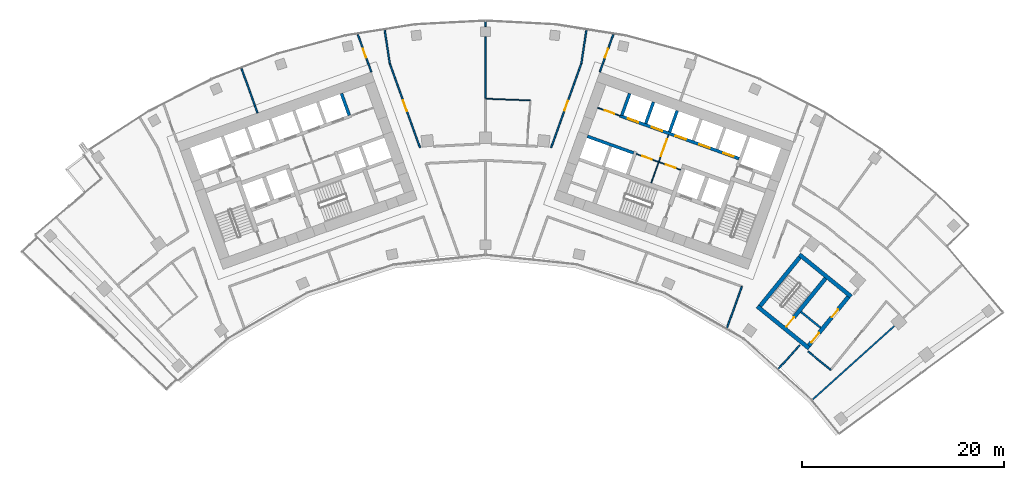
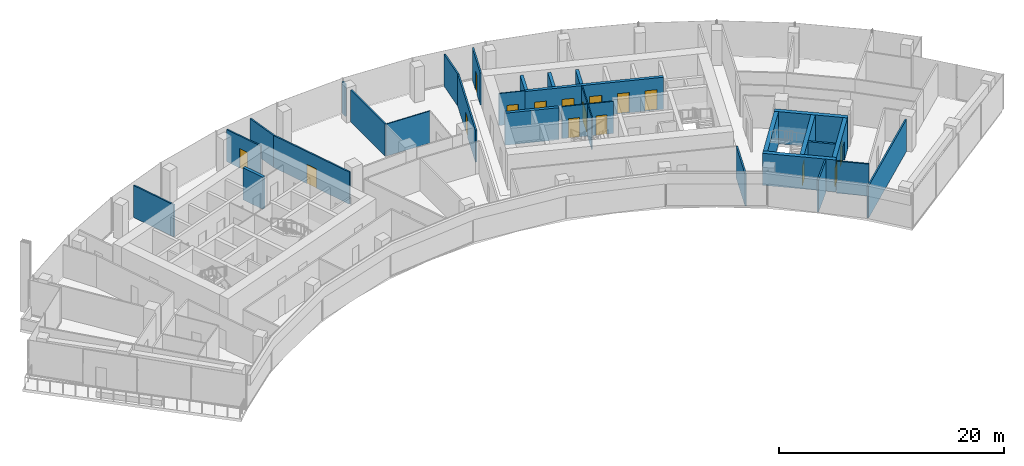
# One storey, part 15 of 20: 29 walls, 16 doors, 16 openings.
"""IFC4 building model written with IfcOpenShell, lengths in metres."""

from ifc_helpers import new_model, si_unit, direction, frame, frame_2d, origin, place, context, subcontext, project, spatial, rectangle, extrude, material, layer, layer_set, type_object, element, fill, save


model = new_model("IFC4")

# Units and contexts
model_context = context("Model", 3, precision=1e-05, world=origin(), true_north=direction((0.0, 1.0)))
body_context = subcontext(model_context, "Body", "Model", "MODEL_VIEW")
ifc_project = project(units=[si_unit("LENGTHUNIT", "METRE"), si_unit("AREAUNIT", "SQUARE_METRE"), si_unit("VOLUMEUNIT", "CUBIC_METRE"), si_unit("PLANEANGLEUNIT", "RADIAN"), si_unit("MASSUNIT", "GRAM", prefix="KILO")], contexts=[model_context])

# Site, building, storey
site_placement = place(None, origin())
site = spatial("IfcSite", under=ifc_project, at=site_placement, CompositionType="ELEMENT")
building_placement = place(site_placement, origin())
building = spatial("IfcBuilding", under=site, at=building_placement, Name="Stone Belt Terrace Tower", CompositionType="ELEMENT")
storey_placement = place(building_placement, frame((0.0, 0.0, 216.199951171875)))
storey = spatial("IfcBuildingStorey", under=building, at=storey_placement, Name="L52", CompositionType="ELEMENT", Elevation=216.199951171875)

# Wall, openings, doors
ifc_material_1 = material(Name="Plasterboard partition")
ifc_layer_1 = layer(ifc_material_1, 0.10009765625)
ifc_layer_set_1 = layer_set([ifc_layer_1], Name="Core partition 100")
wall_type_1 = type_object("IfcWallType", Name="Core partition 100", PredefinedType="PARTITIONING", material=ifc_layer_set_1)
wall_1_placement = place(storey_placement, frame((19.29052734375, 51.829833984375, 0.0), z_axis=(0.0, 0.0, 1.0), x_axis=(-0.940930240745, 0.338600475563, 0.0)))
wall_1 = element("IfcWall", 1, at=wall_1_placement, inside=storey, type_object=wall_type_1, Name="Core B wall", PredefinedType="PARTITIONING", context=body_context, shape_type="SweptSolid", body=[
    extrude(rectangle(XDim=4.64990234375, YDim=0.10009765625, at=frame_2d((2.324951171875, 0.0))), origin(), (0.0, 0.0, 1.0), 3.47998046875),
])
opening_1_placement = place(wall_1_placement, frame((0.550048828125, 0.0, 0.0)))
opening_1 = element("IfcOpeningElement", 2, at=opening_1_placement, cuts=wall_1, Name="Opening L52-C16", PredefinedType="OPENING", context=body_context, shape_type="SweptSolid", body=[
    extrude(rectangle(XDim=1.0, YDim=2.10009765625, at=frame_2d((0.5, 1.050048828125))), frame((0.0, 0.06005859375, 0.0), z_axis=(0.0, -1.0, 0.0), x_axis=(1.0, 0.0, 0.0)), (0.0, 0.0, 1.0), 0.1201171875),
])
opening_2_placement = place(wall_1_placement, frame((3.050048828125, 0.0, 0.0)))
opening_2 = element("IfcOpeningElement", 3, at=opening_2_placement, cuts=wall_1, Name="Opening L52-C17", PredefinedType="OPENING", context=body_context, shape_type="SweptSolid", body=[
    extrude(rectangle(XDim=1.0, YDim=2.10009765625, at=frame_2d((0.5, 1.050048828125))), frame((0.0, 0.06005859375, 0.0), z_axis=(0.0, -1.0, 0.0), x_axis=(1.0, 0.0, 0.0)), (0.0, 0.0, 1.0), 0.1201171875),
])
ifc_material_2 = material(Name="Timber door leaf", Category="wood")
door_type_1 = type_object("IfcDoorType", Name="Core room door 1000", OperationType="SINGLE_SWING_LEFT", PredefinedType="DOOR", material=ifc_material_2)
door_1_placement = place(opening_1_placement, origin())
door_1 = element("IfcDoor", 4, at=door_1_placement, inside=storey, type_object=door_type_1, Name="Door to Archive store core B", OperationType="SINGLE_SWING_LEFT", OverallHeight=2.10009765625, OverallWidth=1.0, PredefinedType="DOOR", context=body_context, shape_type="SweptSolid", body=[
    extrude(rectangle(XDim=1.0, YDim=2.10009765625, at=frame_2d((0.5, 1.050048828125))), frame((0.0, 0.02490234375, 0.0), z_axis=(0.0, -1.0, 0.0), x_axis=(1.0, 0.0, 0.0)), (0.0, 0.0, 1.0), 0.050048828125),
])
fill(opening_1, door_1)
door_2_placement = place(opening_2_placement, origin())
door_2 = element("IfcDoor", 5, at=door_2_placement, inside=storey, type_object=door_type_1, Name="Door to IT equipment room core B", OperationType="SINGLE_SWING_RIGHT", OverallHeight=2.10009765625, OverallWidth=1.0, PredefinedType="DOOR", context=body_context, shape_type="SweptSolid", body=[
    extrude(rectangle(XDim=1.0, YDim=2.10009765625, at=frame_2d((0.5, 1.050048828125))), frame((0.0, 0.02490234375, 0.0), z_axis=(0.0, -1.0, 0.0), x_axis=(1.0, 0.0, 0.0)), (0.0, 0.0, 1.0), 0.050048828125),
])
fill(opening_2, door_2)

# Wall, opening, door
wall_2_placement = place(storey_placement, frame((16.38134765625, 50.53857421875, 0.0), z_axis=(0.0, 0.0, 1.0), x_axis=(0.33860476744, 0.940928696271, 0.0)))
wall_2 = element("IfcWall", 6, at=wall_2_placement, inside=storey, type_object=wall_type_1, Name="Core B wall", PredefinedType="PARTITIONING", context=body_context, shape_type="SweptSolid", body=[
    extrude(rectangle(XDim=5.050048828125, YDim=0.10009765625, at=frame_2d((2.52490234375, 0.0))), origin(), (0.0, 0.0, 1.0), 3.47998046875),
])
opening_3_placement = place(wall_2_placement, frame((2.800048828125, 0.0, 0.0)))
opening_3 = element("IfcOpeningElement", 7, at=opening_3_placement, cuts=wall_2, Name="Opening L52-C20", PredefinedType="OPENING", context=body_context, shape_type="SweptSolid", body=[
    extrude(rectangle(XDim=1.800048828125, YDim=2.10009765625, at=frame_2d((0.89990234375, 1.050048828125))), frame((0.0, 0.06005859375, 0.0), z_axis=(0.0, -1.0, 0.0), x_axis=(1.0, 0.0, 0.0)), (0.0, 0.0, 1.0), 0.1201171875),
])
ifc_material_3 = material(Name="Glazed aluminium door leaf", Category="aluminium")
door_type_2 = type_object("IfcDoorType", Name="Lift lobby entrance door 1800", OperationType="DOUBLE_DOOR_SINGLE_SWING", PredefinedType="DOOR", material=ifc_material_3)
door_3_placement = place(opening_3_placement, origin())
door_3 = element("IfcDoor", 8, at=door_3_placement, inside=storey, type_object=door_type_2, Name="Lift lobby double door core B", OperationType="DOUBLE_DOOR_SINGLE_SWING", OverallHeight=2.10009765625, OverallWidth=1.800048828125, PredefinedType="DOOR", context=body_context, shape_type="SweptSolid", body=[
    extrude(rectangle(XDim=1.800048828125, YDim=2.10009765625, at=frame_2d((0.89990234375, 1.050048828125))), frame((0.0, 0.02490234375, 0.0), z_axis=(0.0, -1.0, 0.0), x_axis=(1.0, 0.0, 0.0)), (0.0, 0.0, 1.0), 0.050048828125),
])
fill(opening_3, door_3)

wall_3_placement = place(storey_placement, frame((13.29638671875, 57.17529296875, 0.0), z_axis=(0.0, 0.0, 1.0), x_axis=(-0.940904627055, 0.338671644496, 0.0)))
wall_3 = element("IfcWall", 9, at=wall_3_placement, inside=storey, type_object=wall_type_1, Name="Core B wall", PredefinedType="PARTITIONING", context=body_context, shape_type="SweptSolid", body=[
    extrude(rectangle(XDim=2.35009765625, YDim=0.10009765625, at=frame_2d((1.175048828125, 0.0))), origin(), (0.0, 0.0, 1.0), 3.47998046875),
])
opening_4_placement = place(wall_3_placement, frame((0.60009765625, 0.0, 0.0)))
opening_4 = element("IfcOpeningElement", 10, at=opening_4_placement, cuts=wall_3, Name="Opening L52-C15", PredefinedType="OPENING", context=body_context, shape_type="SweptSolid", body=[
    extrude(rectangle(XDim=1.0, YDim=2.10009765625, at=frame_2d((0.5, 1.050048828125))), frame((0.0, 0.06005859375, 0.0), z_axis=(0.0, -1.0, 0.0), x_axis=(1.0, 0.0, 0.0)), (0.0, 0.0, 1.0), 0.1201171875),
])
door_4_placement = place(opening_4_placement, origin())
door_4 = element("IfcDoor", 11, at=door_4_placement, inside=storey, type_object=door_type_1, Name="Door to Telecommunications room core B", OperationType="SINGLE_SWING_LEFT", OverallHeight=2.10009765625, OverallWidth=1.0, PredefinedType="DOOR", context=body_context, shape_type="SweptSolid", body=[
    extrude(rectangle(XDim=1.0, YDim=2.10009765625, at=frame_2d((0.5, 1.050048828125))), frame((0.0, 0.02490234375, 0.0), z_axis=(0.0, -1.0, 0.0), x_axis=(1.0, 0.0, 0.0)), (0.0, 0.0, 1.0), 0.050048828125),
])
fill(opening_4, door_4)

# Wall
ifc_material_4 = material(Name="Concrete B80", Category="concrete")
ifc_layer_2 = layer(ifc_material_4, 0.300048828125)
ifc_layer_set_2 = layer_set([ifc_layer_2], Name="Lift shaft wall 300")
wall_type_2 = type_object("IfcWallType", Name="Lift shaft wall 300", PredefinedType="SHEAR", material=ifc_layer_set_2)
wall_4_placement = place(storey_placement, frame((-13.471435546875, 57.218505859375, 0.0), z_axis=(0.0, 0.0, 1.0), x_axis=(-0.338587917, 0.940934759939, 0.0)))
element("IfcWall", 12, at=wall_4_placement, inside=storey, type_object=wall_type_2, Name="Core A wall", PredefinedType="SHEAR", context=body_context, shape_type="SweptSolid", body=[
    extrude(rectangle(XDim=2.300048828125, YDim=0.300048828125, at=frame_2d((1.14990234375, 0.0))), origin(), (0.0, 0.0, 1.0), 3.47998046875),
])

# Wall, openings, doors
wall_5_placement = place(storey_placement, frame((25.05810546875, 52.9423828125, 0.0), z_axis=(0.0, 0.0, 1.0), x_axis=(-0.940920770291, 0.338626791666, 0.0)))
wall_5 = element("IfcWall", 13, at=wall_5_placement, inside=storey, type_object=wall_type_2, Name="Core B wall", PredefinedType="SHEAR", context=body_context, shape_type="SweptSolid", body=[
    extrude(rectangle(XDim=12.500244140625, YDim=0.300048828125, at=frame_2d((6.25, 0.0))), origin(), (0.0, 0.0, 1.0), 3.47998046875),
])
opening_5_placement = place(wall_5_placement, frame((0.570068359375, 0.0, 0.0)))
opening_5 = element("IfcOpeningElement", 14, at=opening_5_placement, cuts=wall_5, Name="Opening L52-LD09", PredefinedType="OPENING", context=body_context, shape_type="SweptSolid", body=[
    extrude(rectangle(XDim=1.10009765625, YDim=2.199951171875, at=frame_2d((0.550048828125, 1.10009765625))), frame((0.0, 0.159912109375, 0.0), z_axis=(0.0, -1.0, 0.0), x_axis=(1.0, 0.0, 0.0)), (0.0, 0.0, 1.0), 0.320068359375),
])
opening_6_placement = place(wall_5_placement, frame((3.070068359375, 0.0, 0.0)))
opening_6 = element("IfcOpeningElement", 15, at=opening_6_placement, cuts=wall_5, Name="Opening L52-LD10", PredefinedType="OPENING", context=body_context, shape_type="SweptSolid", body=[
    extrude(rectangle(XDim=1.10009765625, YDim=2.199951171875, at=frame_2d((0.550048828125, 1.10009765625))), frame((0.0, 0.159912109375, 0.0), z_axis=(0.0, -1.0, 0.0), x_axis=(1.0, 0.0, 0.0)), (0.0, 0.0, 1.0), 0.320068359375),
])
opening_7_placement = place(wall_5_placement, frame((5.570068359375, 0.0, 0.0)))
opening_7 = element("IfcOpeningElement", 16, at=opening_7_placement, cuts=wall_5, Name="Opening L52-LD11", PredefinedType="OPENING", context=body_context, shape_type="SweptSolid", body=[
    extrude(rectangle(XDim=1.10009765625, YDim=2.199951171875, at=frame_2d((0.550048828125, 1.10009765625))), frame((0.0, 0.159912109375, 0.0), z_axis=(0.0, -1.0, 0.0), x_axis=(1.0, 0.0, 0.0)), (0.0, 0.0, 1.0), 0.320068359375),
])
opening_8_placement = place(wall_5_placement, frame((8.070068359375, 0.0, 0.0)))
opening_8 = element("IfcOpeningElement", 17, at=opening_8_placement, cuts=wall_5, Name="Opening L52-LD12", PredefinedType="OPENING", context=body_context, shape_type="SweptSolid", body=[
    extrude(rectangle(XDim=1.10009765625, YDim=2.199951171875, at=frame_2d((0.550048828125, 1.10009765625))), frame((0.0, 0.159912109375, 0.0), z_axis=(0.0, -1.0, 0.0), x_axis=(1.0, 0.0, 0.0)), (0.0, 0.0, 1.0), 0.320068359375),
])
opening_9_placement = place(wall_5_placement, frame((10.570068359375, 0.0, 0.0)))
opening_9 = element("IfcOpeningElement", 18, at=opening_9_placement, cuts=wall_5, Name="Opening L52-LD13", PredefinedType="OPENING", context=body_context, shape_type="SweptSolid", body=[
    extrude(rectangle(XDim=1.10009765625, YDim=2.199951171875, at=frame_2d((0.550048828125, 1.10009765625))), frame((0.0, 0.159912109375, 0.0), z_axis=(0.0, -1.0, 0.0), x_axis=(1.0, 0.0, 0.0)), (0.0, 0.0, 1.0), 0.320068359375),
])
ifc_material_5 = material(Name="Stainless steel door leaf", Category="steel")
door_type_3 = type_object("IfcDoorType", Name="Landing door 1100", OperationType="SLIDING_TO_LEFT", PredefinedType="DOOR", material=ifc_material_5)
door_5_placement = place(opening_5_placement, origin())
door_5 = element("IfcDoor", 19, at=door_5_placement, inside=storey, type_object=door_type_3, Name="Landing door MR1 core B", OperationType="SLIDING_TO_LEFT", OverallHeight=2.199951171875, OverallWidth=1.10009765625, PredefinedType="DOOR", context=body_context, shape_type="SweptSolid", body=[
    extrude(rectangle(XDim=1.10009765625, YDim=2.199951171875, at=frame_2d((0.550048828125, 1.10009765625))), frame((0.0, 0.02490234375, 0.0), z_axis=(0.0, -1.0, 0.0), x_axis=(1.0, 0.0, 0.0)), (0.0, 0.0, 1.0), 0.050048828125),
])
fill(opening_5, door_5)
door_6_placement = place(opening_6_placement, origin())
door_6 = element("IfcDoor", 20, at=door_6_placement, inside=storey, type_object=door_type_3, Name="Landing door MR2 core B", OperationType="SLIDING_TO_LEFT", OverallHeight=2.199951171875, OverallWidth=1.10009765625, PredefinedType="DOOR", context=body_context, shape_type="SweptSolid", body=[
    extrude(rectangle(XDim=1.10009765625, YDim=2.199951171875, at=frame_2d((0.550048828125, 1.10009765625))), frame((0.0, 0.02490234375, 0.0), z_axis=(0.0, -1.0, 0.0), x_axis=(1.0, 0.0, 0.0)), (0.0, 0.0, 1.0), 0.050048828125),
])
fill(opening_6, door_6)
door_7_placement = place(opening_7_placement, origin())
door_7 = element("IfcDoor", 21, at=door_7_placement, inside=storey, type_object=door_type_3, Name="Landing door MR3 core B", OperationType="SLIDING_TO_LEFT", OverallHeight=2.199951171875, OverallWidth=1.10009765625, PredefinedType="DOOR", context=body_context, shape_type="SweptSolid", body=[
    extrude(rectangle(XDim=1.10009765625, YDim=2.199951171875, at=frame_2d((0.550048828125, 1.10009765625))), frame((0.0, 0.02490234375, 0.0), z_axis=(0.0, -1.0, 0.0), x_axis=(1.0, 0.0, 0.0)), (0.0, 0.0, 1.0), 0.050048828125),
])
fill(opening_7, door_7)
door_8_placement = place(opening_8_placement, origin())
door_8 = element("IfcDoor", 22, at=door_8_placement, inside=storey, type_object=door_type_3, Name="Landing door MR4 core B", OperationType="SLIDING_TO_LEFT", OverallHeight=2.199951171875, OverallWidth=1.10009765625, PredefinedType="DOOR", context=body_context, shape_type="SweptSolid", body=[
    extrude(rectangle(XDim=1.10009765625, YDim=2.199951171875, at=frame_2d((0.550048828125, 1.10009765625))), frame((0.0, 0.02490234375, 0.0), z_axis=(0.0, -1.0, 0.0), x_axis=(1.0, 0.0, 0.0)), (0.0, 0.0, 1.0), 0.050048828125),
])
fill(opening_8, door_8)
door_9_placement = place(opening_9_placement, origin())
door_9 = element("IfcDoor", 23, at=door_9_placement, inside=storey, type_object=door_type_3, Name="Landing door MR5 core B", OperationType="SLIDING_TO_LEFT", OverallHeight=2.199951171875, OverallWidth=1.10009765625, PredefinedType="DOOR", context=body_context, shape_type="SweptSolid", body=[
    extrude(rectangle(XDim=1.10009765625, YDim=2.199951171875, at=frame_2d((0.550048828125, 1.10009765625))), frame((0.0, 0.02490234375, 0.0), z_axis=(0.0, -1.0, 0.0), x_axis=(1.0, 0.0, 0.0)), (0.0, 0.0, 1.0), 0.050048828125),
])
fill(opening_9, door_9)

# Walls
wall_6_placement = place(storey_placement, frame((18.193115234375, 55.572509765625, 0.0), z_axis=(0.0, 0.0, 1.0), x_axis=(0.338535034312, 0.940953787677, 0.0)))
element("IfcWall", 24, at=wall_6_placement, inside=storey, type_object=wall_type_2, Name="Core B wall", PredefinedType="SHEAR", context=body_context, shape_type="SweptSolid", body=[
    extrude(rectangle(XDim=2.25, YDim=0.300048828125, at=frame_2d((1.125, 0.0))), origin(), (0.0, 0.0, 1.0), 3.47998046875),
])
wall_7_placement = place(storey_placement, frame((14.6328125, 53.506103515625, 0.0), z_axis=(0.0, 0.0, 1.0), x_axis=(-0.940931684323, 0.338596464007, 0.0)))
element("IfcWall", 25, at=wall_7_placement, inside=storey, type_object=wall_type_2, Name="Core B wall", PredefinedType="SHEAR", context=body_context, shape_type="SweptSolid", body=[
    extrude(rectangle(XDim=4.849609375, YDim=0.300048828125, at=frame_2d((2.4248046875, 0.0))), origin(), (0.0, 0.0, 1.0), 3.47998046875),
])
wall_8_placement = place(storey_placement, frame((15.8408203125, 56.419189453125, 0.0), z_axis=(0.0, 0.0, 1.0), x_axis=(0.338569601369, 0.940941350472, 0.0)))
element("IfcWall", 26, at=wall_8_placement, inside=storey, type_object=wall_type_2, Name="Core B wall", PredefinedType="SHEAR", context=body_context, shape_type="SweptSolid", body=[
    extrude(rectangle(XDim=2.249755859375, YDim=0.300048828125, at=frame_2d((1.125, 0.0))), origin(), (0.0, 0.0, 1.0), 3.47998046875),
])
wall_9_placement = place(storey_placement, frame((13.471435546875, 57.218505859375, 0.0), z_axis=(0.0, 0.0, 1.0), x_axis=(0.338587917, 0.940934759939, 0.0)))
element("IfcWall", 27, at=wall_9_placement, inside=storey, type_object=wall_type_2, Name="Core B wall", PredefinedType="SHEAR", context=body_context, shape_type="SweptSolid", body=[
    extrude(rectangle(XDim=2.300048828125, YDim=0.300048828125, at=frame_2d((1.14990234375, 0.0))), origin(), (0.0, 0.0, 1.0), 3.47998046875),
])
ifc_material_6 = material(Name="Gypsum board partition")
ifc_layer_3 = layer(ifc_material_6, 0.10009765625)
ifc_layer_set_3 = layer_set([ifc_layer_3], Name="PARTITION 100")
wall_type_3 = type_object("IfcWallType", Name="PARTITION 100", PredefinedType="PARTITIONING", material=ifc_layer_set_3)
wall_10_placement = place(storey_placement, frame((4.431884765625, 58.697998046875, 0.0), z_axis=(0.0, 0.0, 1.0), x_axis=(-0.999290874264, 0.037653002699, 0.0)))
element("IfcWall", 28, at=wall_10_placement, inside=storey, type_object=wall_type_3, Name="L52/wall/i082", PredefinedType="PARTITIONING", context=body_context, shape_type="SweptSolid", body=[
    extrude(rectangle(XDim=4.43505859375, YDim=0.10009765625, at=frame_2d((2.217529296875, 0.0))), origin(), (0.0, 0.0, 1.0), 3.47998046875),
])

# Wall, opening, door
ifc_layer_4 = layer(ifc_material_6, 0.14990234375)
ifc_layer_set_4 = layer_set([ifc_layer_4], Name="PARTITION 150 EI 60")
wall_type_4 = type_object("IfcWallType", Name="PARTITION 150 EI 60", PredefinedType="PARTITIONING", material=ifc_layer_set_4)
wall_11_placement = place(storey_placement, frame((-11.2958984375, 61.509033203125, 0.0), z_axis=(0.0, 0.0, 1.0), x_axis=(-0.338610223579, 0.940926732795, 0.0)))
wall_11 = element("IfcWall", 29, at=wall_11_placement, inside=storey, type_object=wall_type_4, Name="L52/wall/i008", PredefinedType="PARTITIONING", context=body_context, shape_type="SweptSolid", body=[
    extrude(rectangle(XDim=3.956787109375, YDim=0.14990234375, at=frame_2d((1.978515625, 0.0))), origin(), (0.0, 0.0, 1.0), 3.47998046875),
])
opening_10_placement = place(wall_11_placement, frame((1.5283203125, 0.0, 0.0)))
opening_10 = element("IfcOpeningElement", 30, at=opening_10_placement, cuts=wall_11, Name="Opening D-D3-04", PredefinedType="OPENING", context=body_context, shape_type="SweptSolid", body=[
    extrude(rectangle(XDim=0.89990234375, YDim=2.10009765625, at=frame_2d((0.449951171875, 1.050048828125))), frame((0.0, 0.0849609375, 0.0), z_axis=(0.0, -1.0, 0.0), x_axis=(1.0, 0.0, 0.0)), (0.0, 0.0, 1.0), 0.169921875),
])
door_type_4 = type_object("IfcDoorType", Name="OFFICE DOOR 900 X 2100", OperationType="NOTDEFINED", PredefinedType="DOOR", material=ifc_material_2)
door_10_placement = place(opening_10_placement, origin())
door_10 = element("IfcDoor", 31, at=door_10_placement, inside=storey, type_object=door_type_4, Name="L52/door/i04", OperationType="SINGLE_SWING_RIGHT", OverallHeight=2.10009765625, OverallWidth=0.89990234375, PredefinedType="DOOR", context=body_context, shape_type="SweptSolid", body=[
    extrude(rectangle(XDim=0.89990234375, YDim=2.10009765625, at=frame_2d((0.449951171875, 1.050048828125))), frame((0.0, 0.02490234375, 0.0), z_axis=(0.0, -1.0, 0.0), x_axis=(1.0, 0.0, 0.0)), (0.0, 0.0, 1.0), 0.050048828125),
])
fill(opening_10, door_10)

# Wall
wall_12_placement = place(storey_placement, frame((-9.971923828125, 65.65576171875, 0.0), z_axis=(0.0, 0.0, 1.0), x_axis=(0.150154488208, -0.988662545903, 0.0)))
element("IfcWall", 32, at=wall_12_placement, inside=storey, type_object=wall_type_4, Name="L52/wall/i010", PredefinedType="PARTITIONING", context=body_context, shape_type="SweptSolid", body=[
    extrude(rectangle(XDim=3.35595703125, YDim=0.14990234375, at=frame_2d((1.677978515625, 0.0))), origin(), (0.0, 0.0, 1.0), 3.47998046875),
])

# Wall, opening, door
wall_13_placement = place(storey_placement, frame((-9.468017578125, 62.3369140625, 0.0), z_axis=(0.0, 0.0, 1.0), x_axis=(0.338603075024, -0.940929305307, 0.0)))
wall_13 = element("IfcWall", 33, at=wall_13_placement, inside=storey, type_object=wall_type_4, Name="L52/wall/i011", PredefinedType="PARTITIONING", context=body_context, shape_type="SweptSolid", body=[
    extrude(rectangle(XDim=8.839111328125, YDim=0.14990234375, at=frame_2d((4.41943359375, 0.0))), origin(), (0.0, 0.0, 1.0), 3.47998046875),
])
opening_11_placement = place(wall_13_placement, frame((3.86962890625, 0.0, 0.0)))
opening_11 = element("IfcOpeningElement", 34, at=opening_11_placement, cuts=wall_13, Name="Opening D-D3-25", PredefinedType="OPENING", context=body_context, shape_type="SweptSolid", body=[
    extrude(rectangle(XDim=1.10009765625, YDim=2.10009765625, at=frame_2d((0.550048828125, 1.050048828125))), frame((0.0, 0.0849609375, 0.0), z_axis=(0.0, -1.0, 0.0), x_axis=(1.0, 0.0, 0.0)), (0.0, 0.0, 1.0), 0.169921875),
])
ifc_material_7 = material(Name="Steel fire door set", Category="steel")
door_type_5 = type_object("IfcDoorType", Name="SERVICE ROOM DOOR 1100 X 2100", OperationType="NOTDEFINED", PredefinedType="DOOR", material=ifc_material_7)
door_11_placement = place(opening_11_placement, origin())
door_11 = element("IfcDoor", 35, at=door_11_placement, inside=storey, type_object=door_type_5, Name="L52/door/i25", OperationType="SINGLE_SWING_LEFT", OverallHeight=2.10009765625, OverallWidth=1.10009765625, PredefinedType="DOOR", context=body_context, shape_type="SweptSolid", body=[
    extrude(rectangle(XDim=1.10009765625, YDim=2.10009765625, at=frame_2d((0.550048828125, 1.050048828125))), frame((0.0, 0.02490234375, 0.0), z_axis=(0.0, -1.0, 0.0), x_axis=(1.0, 0.0, 0.0)), (0.0, 0.0, 1.0), 0.050048828125),
])
fill(opening_11, door_11)

# Wall
wall_14_placement = place(storey_placement, frame((-24.1337890625, 61.869140625, 0.0), z_axis=(0.0, 0.0, 1.0), x_axis=(0.338599546383, -0.940930575116, 0.0)))
element("IfcWall", 36, at=wall_14_placement, inside=storey, type_object=wall_type_4, Name="L52/wall/i015", PredefinedType="PARTITIONING", context=body_context, shape_type="SweptSolid", body=[
    extrude(rectangle(XDim=4.68603515625, YDim=0.14990234375, at=frame_2d((2.343017578125, 0.0))), origin(), (0.0, 0.0, 1.0), 3.47998046875),
])

# Wall, opening, door
wall_15_placement = place(storey_placement, frame((12.6357421875, 65.232177734375, 0.0), z_axis=(0.0, 0.0, 1.0), x_axis=(-0.338610223579, -0.940926732795, 0.0)))
wall_15 = element("IfcWall", 37, at=wall_15_placement, inside=storey, type_object=wall_type_4, Name="L52/wall/i017", PredefinedType="PARTITIONING", context=body_context, shape_type="SweptSolid", body=[
    extrude(rectangle(XDim=3.956787109375, YDim=0.14990234375, at=frame_2d((1.978515625, 0.0))), origin(), (0.0, 0.0, 1.0), 3.47998046875),
])
opening_12_placement = place(wall_15_placement, frame((1.5283203125, 0.0, 0.0)))
opening_12 = element("IfcOpeningElement", 38, at=opening_12_placement, cuts=wall_15, Name="Opening D-D3-07", PredefinedType="OPENING", context=body_context, shape_type="SweptSolid", body=[
    extrude(rectangle(XDim=0.89990234375, YDim=2.10009765625, at=frame_2d((0.449951171875, 1.050048828125))), frame((0.0, 0.0849609375, 0.0), z_axis=(0.0, -1.0, 0.0), x_axis=(1.0, 0.0, 0.0)), (0.0, 0.0, 1.0), 0.169921875),
])
door_12_placement = place(opening_12_placement, origin())
door_12 = element("IfcDoor", 39, at=door_12_placement, inside=storey, type_object=door_type_4, Name="L52/door/i07", OperationType="SINGLE_SWING_RIGHT", OverallHeight=2.10009765625, OverallWidth=0.89990234375, PredefinedType="DOOR", context=body_context, shape_type="SweptSolid", body=[
    extrude(rectangle(XDim=0.89990234375, YDim=2.10009765625, at=frame_2d((0.449951171875, 1.050048828125))), frame((0.0, 0.02490234375, 0.0), z_axis=(0.0, -1.0, 0.0), x_axis=(1.0, 0.0, 0.0)), (0.0, 0.0, 1.0), 0.050048828125),
])
fill(opening_12, door_12)

wall_16_placement = place(storey_placement, frame((6.47509765625, 54.02001953125, 0.0), z_axis=(0.0, 0.0, 1.0), x_axis=(0.338603075024, 0.940929305307, 0.0)))
wall_16 = element("IfcWall", 40, at=wall_16_placement, inside=storey, type_object=wall_type_4, Name="L52/wall/i019", PredefinedType="PARTITIONING", context=body_context, shape_type="SweptSolid", body=[
    extrude(rectangle(XDim=8.839111328125, YDim=0.14990234375, at=frame_2d((4.41943359375, 0.0))), origin(), (0.0, 0.0, 1.0), 3.47998046875),
])
opening_13_placement = place(wall_16_placement, frame((3.919677734375, 0.0, 0.0)))
opening_13 = element("IfcOpeningElement", 41, at=opening_13_placement, cuts=wall_16, Name="Opening D-D3-26", PredefinedType="OPENING", context=body_context, shape_type="SweptSolid", body=[
    extrude(rectangle(XDim=1.0, YDim=2.10009765625, at=frame_2d((0.5, 1.050048828125))), frame((0.0, 0.0849609375, 0.0), z_axis=(0.0, -1.0, 0.0), x_axis=(1.0, 0.0, 0.0)), (0.0, 0.0, 1.0), 0.169921875),
])
ifc_material_8 = material(Name="Timber fire door leaf", Category="wood")
door_type_6 = type_object("IfcDoorType", Name="TENANCY ENTRANCE DOOR 1000 X 2100", OperationType="NOTDEFINED", PredefinedType="DOOR", material=ifc_material_8)
door_13_placement = place(opening_13_placement, origin())
door_13 = element("IfcDoor", 42, at=door_13_placement, inside=storey, type_object=door_type_6, Name="L52/door/i26", OperationType="SINGLE_SWING_RIGHT", OverallHeight=2.10009765625, OverallWidth=1.0, PredefinedType="DOOR", context=body_context, shape_type="SweptSolid", body=[
    extrude(rectangle(XDim=1.0, YDim=2.10009765625, at=frame_2d((0.5, 1.050048828125))), frame((0.0, 0.02490234375, 0.0), z_axis=(0.0, -1.0, 0.0), x_axis=(1.0, 0.0, 0.0)), (0.0, 0.0, 1.0), 0.050048828125),
])
fill(opening_13, door_13)

# Walls
wall_17_placement = place(storey_placement, frame((9.468017578125, 62.337890625, 0.0), z_axis=(0.0, 0.0, 1.0), x_axis=(0.150154488208, 0.988662545903, 0.0)))
element("IfcWall", 43, at=wall_17_placement, inside=storey, type_object=wall_type_4, Name="L52/wall/i020", PredefinedType="PARTITIONING", context=body_context, shape_type="SweptSolid", body=[
    extrude(rectangle(XDim=3.35595703125, YDim=0.14990234375, at=frame_2d((1.677978515625, 0.0))), origin(), (0.0, 0.0, 1.0), 3.47998046875),
])
wall_18_placement = place(storey_placement, frame((23.860107421875, 36.1787109375, 0.0), z_axis=(0.0, 0.0, 1.0), x_axis=(0.338603151709, 0.94092927771, 0.0)))
element("IfcWall", 44, at=wall_18_placement, inside=storey, type_object=wall_type_4, Name="L52/wall/i021", PredefinedType="PARTITIONING", context=body_context, shape_type="SweptSolid", body=[
    extrude(rectangle(XDim=4.38525390625, YDim=0.14990234375, at=frame_2d((2.192626953125, 0.0))), origin(), (0.0, 0.0, 1.0), 3.47998046875),
])
wall_19_placement = place(storey_placement, frame((31.054931640625, 34.489990234375, 0.0), z_axis=(0.0, 0.0, 1.0), x_axis=(-0.669118910745, -0.743155356089, 0.0)))
element("IfcWall", 45, at=wall_19_placement, inside=storey, type_object=wall_type_4, Name="L52/wall/i024", PredefinedType="PARTITIONING", context=body_context, shape_type="SweptSolid", body=[
    extrude(rectangle(XDim=3.149169921875, YDim=0.14990234375, at=frame_2d((1.57470703125, 0.0))), origin(), (0.0, 0.0, 1.0), 3.47998046875),
])
wall_20_placement = place(storey_placement, frame((32.32666015625, 29.107177734375, 0.0), z_axis=(0.0, 0.0, 1.0), x_axis=(0.743123646352, 0.669154127412, 0.0)))
element("IfcWall", 46, at=wall_20_placement, inside=storey, type_object=wall_type_4, Name="L52/wall/i048", PredefinedType="PARTITIONING", context=body_context, shape_type="SweptSolid", body=[
    extrude(rectangle(XDim=10.89501953125, YDim=0.14990234375, at=frame_2d((5.447509765625, 0.0))), origin(), (0.0, 0.0, 1.0), 3.47998046875),
])
wall_21_placement = place(storey_placement, frame((34.133056640625, 32.055908203125, 0.0), z_axis=(0.0, 0.0, 1.0), x_axis=(-0.776369956068, 0.630277471686, 0.0)))
element("IfcWall", 47, at=wall_21_placement, inside=storey, type_object=wall_type_4, Name="L52/wall/i059", PredefinedType="PARTITIONING", context=body_context, shape_type="SweptSolid", body=[
    extrude(rectangle(XDim=2.8876953125, YDim=0.14990234375, at=frame_2d((1.44384765625, 0.0))), origin(), (0.0, 0.0, 1.0), 3.47998046875),
])
wall_22_placement = place(storey_placement, frame((0.0, 66.5, 0.0), z_axis=(0.0, 0.0, 1.0), x_axis=(0.0, -1.0, 0.0)))
element("IfcWall", 48, at=wall_22_placement, inside=storey, type_object=wall_type_4, Name="L52/wall/i078", PredefinedType="PARTITIONING", context=body_context, shape_type="SweptSolid", body=[
    extrude(rectangle(XDim=0.506103515625, YDim=0.14990234375, at=frame_2d((0.2529296875, 0.0))), origin(), (0.0, 0.0, 1.0), 3.47998046875),
])
wall_23_placement = place(storey_placement, frame((0.0, 64.98388671875, 0.0), z_axis=(0.0, 0.0, 1.0), x_axis=(0.0, -1.0, 0.0)))
element("IfcWall", 49, at=wall_23_placement, inside=storey, type_object=wall_type_4, Name="L52/wall/i079", PredefinedType="PARTITIONING", context=body_context, shape_type="SweptSolid", body=[
    extrude(rectangle(XDim=6.125, YDim=0.14990234375, at=frame_2d((3.0625, 0.0))), origin(), (0.0, 0.0, 1.0), 3.47998046875),
])
ifc_material_9 = material(Name="Concrete masonry block", Category="masonry")
ifc_layer_5 = layer(ifc_material_9, 0.199951171875)
ifc_layer_set_5 = layer_set([ifc_layer_5], Name="Rated lobby wall 200")
wall_type_5 = type_object("IfcWallType", Name="Rated lobby wall 200", PredefinedType="PARTITIONING", material=ifc_layer_set_5)
wall_24_placement = place(storey_placement, frame((31.190673828125, 37.79296875, 0.0), z_axis=(0.0, 0.0, 1.0), x_axis=(0.776370830301, -0.630276394813, 0.0)))
element("IfcWall", 50, at=wall_24_placement, inside=storey, type_object=wall_type_5, Name="Exit stair ST3B wall", PredefinedType="PARTITIONING", context=body_context, shape_type="SweptSolid", body=[
    extrude(rectangle(XDim=2.5, YDim=0.199951171875, at=frame_2d((1.25, 0.0))), origin(), (0.0, 0.0, 1.0), 3.47998046875),
])
ifc_layer_6 = layer(ifc_material_4, 0.39990234375)
ifc_layer_set_6 = layer_set([ifc_layer_6], Name="Stair enclosure wall 400")
wall_type_6 = type_object("IfcWallType", Name="Stair enclosure wall 400", PredefinedType="SHEAR", material=ifc_layer_set_6)
wall_25_placement = place(storey_placement, frame((26.868408203125, 38.3388671875, 0.0), z_axis=(0.0, 0.0, 1.0), x_axis=(0.776428452498, -0.630205409491, 0.0)))
element("IfcWall", 51, at=wall_25_placement, inside=storey, type_object=wall_type_6, Name="Exit stair ST3B wall", PredefinedType="SHEAR", context=body_context, shape_type="SweptSolid", body=[
    extrude(rectangle(XDim=6.60009765625, YDim=0.39990234375, at=frame_2d((3.300048828125, 0.0))), origin(), (0.0, 0.0, 1.0), 3.47998046875),
])
wall_26_placement = place(storey_placement, frame((31.02783203125, 43.46337890625, 0.0), z_axis=(0.0, 0.0, 1.0), x_axis=(0.776413760801, -0.630223509589, 0.0)))
element("IfcWall", 52, at=wall_26_placement, inside=storey, type_object=wall_type_6, Name="Exit stair ST3B wall", PredefinedType="SHEAR", context=body_context, shape_type="SweptSolid", body=[
    extrude(rectangle(XDim=6.599853515625, YDim=0.39990234375, at=frame_2d((3.2998046875, 0.0))), origin(), (0.0, 0.0, 1.0), 3.47998046875),
])
wall_27_placement = place(storey_placement, frame((27.149658203125, 38.3681640625, 0.0), z_axis=(0.0, 0.0, 1.0), x_axis=(0.630211551729, 0.776423466973, 0.0)))
element("IfcWall", 53, at=wall_27_placement, inside=storey, type_object=wall_type_6, Name="Exit stair ST3B wall", PredefinedType="SHEAR", context=body_context, shape_type="SweptSolid", body=[
    extrude(rectangle(XDim=6.199951171875, YDim=0.39990234375, at=frame_2d((3.10009765625, 0.0))), origin(), (0.0, 0.0, 1.0), 3.47998046875),
])

# Wall, openings, doors
wall_28_placement = place(storey_placement, frame((31.963623046875, 34.460693359375, 0.0), z_axis=(0.0, 0.0, 1.0), x_axis=(0.630192283849, 0.776439106033, 0.0)))
wall_28 = element("IfcWall", 54, at=wall_28_placement, inside=storey, type_object=wall_type_6, Name="Exit stair ST3B wall", PredefinedType="SHEAR", context=body_context, shape_type="SweptSolid", body=[
    extrude(rectangle(XDim=6.199951171875, YDim=0.39990234375, at=frame_2d((3.10009765625, 0.0))), origin(), (0.0, 0.0, 1.0), 3.47998046875),
])
opening_14_placement = place(wall_28_placement, frame((0.39990234375, 0.0, 0.0)))
opening_14 = element("IfcOpeningElement", 55, at=opening_14_placement, cuts=wall_28, Name="Opening L52-C30", PredefinedType="OPENING", context=body_context, shape_type="SweptSolid", body=[
    extrude(rectangle(XDim=1.199951171875, YDim=2.10009765625, at=frame_2d((0.60009765625, 1.050048828125))), frame((0.0, 0.2099609375, 0.0), z_axis=(0.0, -1.0, 0.0), x_axis=(1.0, 0.0, 0.0)), (0.0, 0.0, 1.0), 0.419921875),
])
opening_15_placement = place(wall_28_placement, frame((3.60009765625, 0.0, 0.0)))
opening_15 = element("IfcOpeningElement", 56, at=opening_15_placement, cuts=wall_28, Name="Opening L52-C31", PredefinedType="OPENING", context=body_context, shape_type="SweptSolid", body=[
    extrude(rectangle(XDim=1.0, YDim=2.10009765625, at=frame_2d((0.5, 1.050048828125))), frame((0.0, 0.2099609375, 0.0), z_axis=(0.0, -1.0, 0.0), x_axis=(1.0, 0.0, 0.0)), (0.0, 0.0, 1.0), 0.419921875),
])
door_14_placement = place(opening_15_placement, origin())
door_14 = element("IfcDoor", 57, at=door_14_placement, inside=storey, type_object=door_type_1, Name="Door to stair pressurisation plant room ST3B", OperationType="SINGLE_SWING_RIGHT", OverallHeight=2.10009765625, OverallWidth=1.0, PredefinedType="DOOR", context=body_context, shape_type="SweptSolid", body=[
    extrude(rectangle(XDim=1.0, YDim=2.10009765625, at=frame_2d((0.5, 1.050048828125))), frame((0.0, 0.02490234375, 0.0), z_axis=(0.0, -1.0, 0.0), x_axis=(1.0, 0.0, 0.0)), (0.0, 0.0, 1.0), 0.050048828125),
])
fill(opening_15, door_14)
ifc_material_10 = material(Name="Steel door leaf", Category="steel")
door_type_7 = type_object("IfcDoorType", Name="Stair airlock door 1200", OperationType="SINGLE_SWING_LEFT", PredefinedType="DOOR", material=ifc_material_10)
door_15_placement = place(opening_14_placement, origin())
door_15 = element("IfcDoor", 58, at=door_15_placement, inside=storey, type_object=door_type_7, Name="Stair airlock door ST3B", OperationType="SINGLE_SWING_RIGHT", OverallHeight=2.10009765625, OverallWidth=1.199951171875, PredefinedType="DOOR", context=body_context, shape_type="SweptSolid", body=[
    extrude(rectangle(XDim=1.199951171875, YDim=2.10009765625, at=frame_2d((0.60009765625, 1.050048828125))), frame((0.0, 0.02490234375, 0.0), z_axis=(0.0, -1.0, 0.0), x_axis=(1.0, 0.0, 0.0)), (0.0, 0.0, 1.0), 0.050048828125),
])
fill(opening_14, door_15)

# Wall, opening, door
wall_29_placement = place(storey_placement, frame((29.7119140625, 36.288330078125, 0.0), z_axis=(0.0, 0.0, 1.0), x_axis=(0.630192283849, 0.776439106033, 0.0)))
wall_29 = element("IfcWall", 59, at=wall_29_placement, inside=storey, type_object=wall_type_6, Name="Exit stair ST3B wall", PredefinedType="SHEAR", context=body_context, shape_type="SweptSolid", body=[
    extrude(rectangle(XDim=6.199951171875, YDim=0.39990234375, at=frame_2d((3.10009765625, 0.0))), origin(), (0.0, 0.0, 1.0), 3.47998046875),
])
opening_16_placement = place(wall_29_placement, frame((0.050048828125, 0.0, 0.0)))
opening_16 = element("IfcOpeningElement", 60, at=opening_16_placement, cuts=wall_29, Name="Opening L52-C29", PredefinedType="OPENING", context=body_context, shape_type="SweptSolid", body=[
    extrude(rectangle(XDim=1.199951171875, YDim=2.10009765625, at=frame_2d((0.60009765625, 1.050048828125))), frame((0.0, 0.2099609375, 0.0), z_axis=(0.0, -1.0, 0.0), x_axis=(1.0, 0.0, 0.0)), (0.0, 0.0, 1.0), 0.419921875),
])
door_type_8 = type_object("IfcDoorType", Name="Stair door 1200", OperationType="SINGLE_SWING_LEFT", PredefinedType="DOOR", material=ifc_material_10)
door_16_placement = place(opening_16_placement, origin())
door_16 = element("IfcDoor", 61, at=door_16_placement, inside=storey, type_object=door_type_8, Name="Stair door ST3B", OperationType="SINGLE_SWING_LEFT", OverallHeight=2.10009765625, OverallWidth=1.199951171875, PredefinedType="DOOR", context=body_context, shape_type="SweptSolid", body=[
    extrude(rectangle(XDim=1.199951171875, YDim=2.10009765625, at=frame_2d((0.60009765625, 1.050048828125))), frame((0.0, 0.02490234375, 0.0), z_axis=(0.0, -1.0, 0.0), x_axis=(1.0, 0.0, 0.0)), (0.0, 0.0, 1.0), 0.050048828125),
])
fill(opening_16, door_16)

save(model, "model.ifc")
